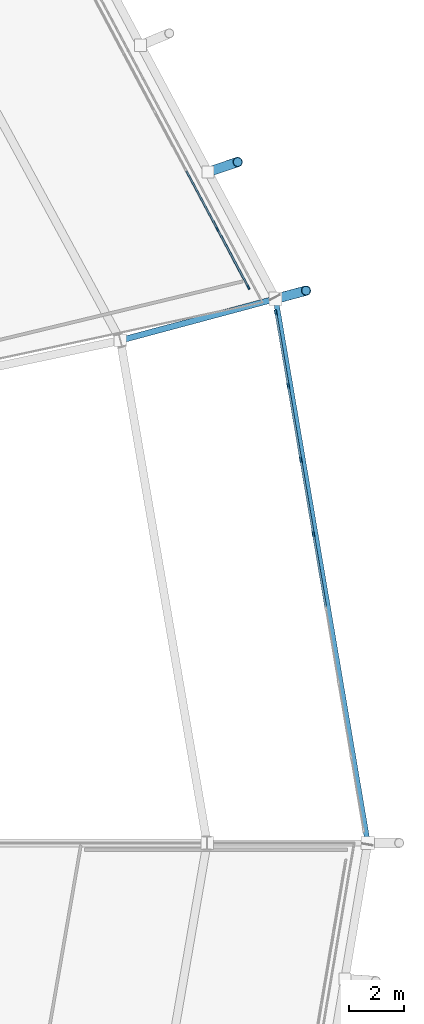
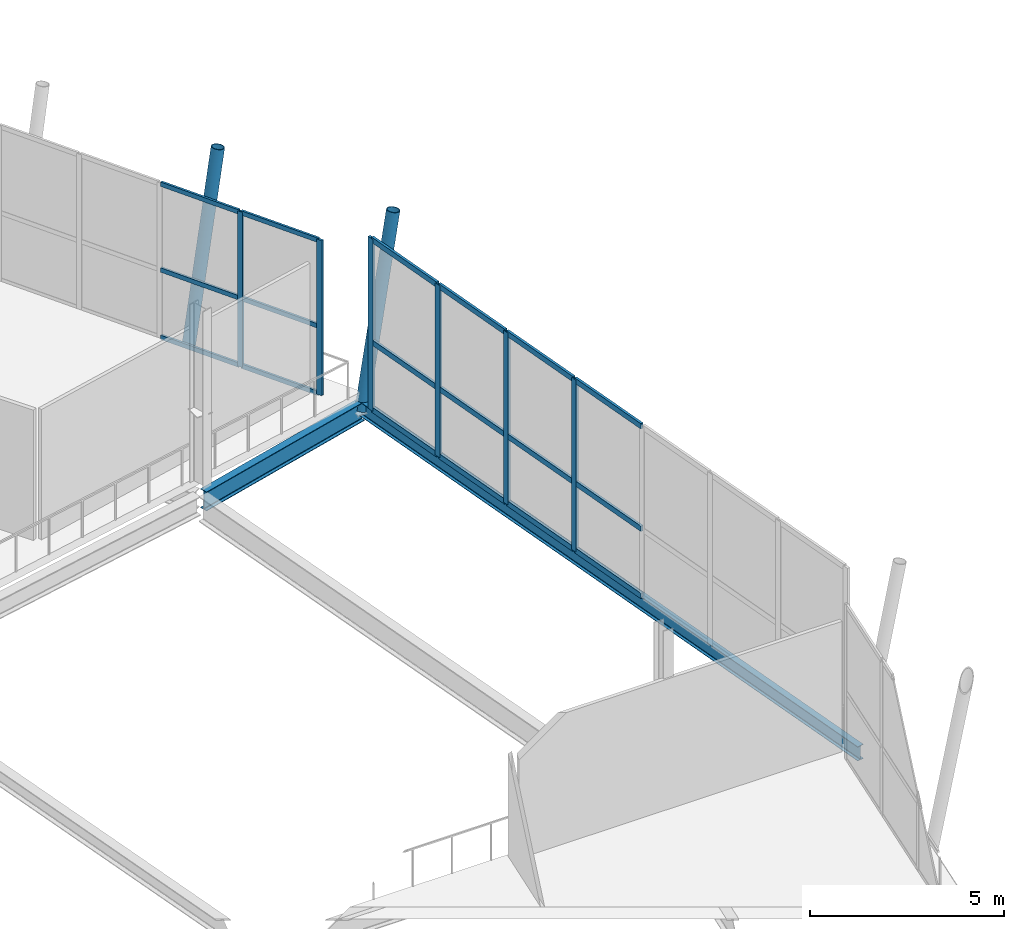
# One storey, part 43 of 99: 26 members, 2 beams, 2 elements without a shape of their own.
"""IFC4 building model written with IfcOpenShell, lengths in metres."""

from ifc_helpers import new_model, si_unit, direction, frame, origin, origin_2d, place, context, subcontext, project, spatial, rectangle, hollow_circle, i_section, extrude, material, material_profile, profile_set, type_object, element, aggregate, save


model = new_model("IFC4")

# Units and contexts
model_context = context("Model", 3, precision=1e-05, world=origin(), true_north=direction((0.0, 1.0)))
body_context = subcontext(model_context, "Body", "Model", "MODEL_VIEW")
ifc_project = project(units=[si_unit("LENGTHUNIT", "METRE"), si_unit("AREAUNIT", "SQUARE_METRE"), si_unit("VOLUMEUNIT", "CUBIC_METRE"), si_unit("PLANEANGLEUNIT", "RADIAN"), si_unit("MASSUNIT", "GRAM", prefix="KILO")], contexts=[model_context])

# Site, building, storey
site_placement = place(None, origin())
site = spatial("IfcSite", under=ifc_project, at=site_placement, CompositionType="ELEMENT")
building_placement = place(site_placement, origin())
building = spatial("IfcBuilding", under=site, at=building_placement, Name="Zlatoyarsky Gate Stadium", CompositionType="ELEMENT")
storey_placement = place(building_placement, frame((0.0, 0.0, 26.199951171875)))
storey = spatial("IfcBuildingStorey", under=building, at=storey_placement, Name="L05", CompositionType="ELEMENT", Elevation=26.199951171875)

# Curtain wall, members
ifc_material_1 = material(Name="Thermally broken anodised aluminium curtain wall", Category="aluminium")
curtain_wall_type_1 = type_object("IfcCurtainWallType", Name="MONUMENTAL ARCHED GATE GLAZING UPPER", PredefinedType="USERDEFINED", material=ifc_material_1)
curtain_wall_1_placement = place(storey_placement, origin())
curtain_wall_1 = element("IfcCurtainWall", 1, at=curtain_wall_1_placement, inside=storey, type_object=curtain_wall_type_1, Name="Curtain wall CW-L05-00", ObjectType="ARCHED GATE GLAZING", PredefinedType="USERDEFINED")
ifc_material_2 = material(Name="Anodised aluminium 6063-T6", Category="aluminium")
ifc_material_profile_1 = material_profile(ifc_material_2, rectangle(XDim=0.074951171875, YDim=0.18994140625, at=origin_2d()), Name="ALU 75X190")
ifc_profile_set_1 = profile_set([ifc_material_profile_1], Name="Anodised aluminium 6063-T6")
member_type_1 = type_object("IfcMemberType", Name="ALUMINIUM GATE MULLION 75X190", PredefinedType="MULLION", material=ifc_profile_set_1)
member_1_placement = place(storey_placement, frame((207.885009765625, 91.294677734375, -0.260009765625), z_axis=(0.0, 0.0, 1.0), x_axis=(-0.985957733522, -0.166995052945, 0.0)))
member_1 = element("IfcMember", 2, at=member_1_placement, type_object=member_type_1, Name="CW-AG2 mullion 5", PredefinedType="MULLION", context=body_context, shape_type="SweptSolid", body=[
    extrude(rectangle(XDim=0.074951171875, YDim=0.18994140625, at=origin_2d()), origin(), (0.0, 0.0, 1.0), 5.41015625),
])
member_2_placement = place(storey_placement, frame((207.425537109375, 94.007568359375, -0.260009765625), z_axis=(0.0, 0.0, 1.0), x_axis=(-0.985957733522, -0.166995052945, 0.0)))
member_2 = element("IfcMember", 3, at=member_2_placement, type_object=member_type_1, Name="CW-AG2 mullion 6", PredefinedType="MULLION", context=body_context, shape_type="SweptSolid", body=[
    extrude(rectangle(XDim=0.074951171875, YDim=0.18994140625, at=origin_2d()), origin(), (0.0, 0.0, 1.0), 5.41015625),
])
member_3_placement = place(storey_placement, frame((206.966064453125, 96.72021484375, -0.260009765625), z_axis=(0.0, 0.0, 1.0), x_axis=(-0.985957733522, -0.166995052945, 0.0)))
member_3 = element("IfcMember", 4, at=member_3_placement, type_object=member_type_1, Name="CW-AG2 mullion 7", PredefinedType="MULLION", context=body_context, shape_type="SweptSolid", body=[
    extrude(rectangle(XDim=0.074951171875, YDim=0.18994140625, at=origin_2d()), origin(), (0.0, 0.0, 1.0), 5.41015625),
])
member_4_placement = place(storey_placement, frame((206.512939453125, 99.396240234375, -0.260009765625), z_axis=(0.0, 0.0, 1.0), x_axis=(-0.985957733522, -0.166995052945, 0.0)))
member_4 = element("IfcMember", 5, at=member_4_placement, type_object=member_type_1, Name="CW-AG2 mullion 8", PredefinedType="MULLION", context=body_context, shape_type="SweptSolid", body=[
    extrude(rectangle(XDim=0.074951171875, YDim=0.18994140625, at=origin_2d()), origin(), (0.0, 0.0, 1.0), 5.41015625),
])
ifc_material_profile_2 = material_profile(ifc_material_2, rectangle(XDim=0.074951171875, YDim=0.169921875, at=origin_2d()), Name="ALU 75X170")
ifc_profile_set_2 = profile_set([ifc_material_profile_2], Name="Anodised aluminium 6063-T6")
member_type_2 = type_object("IfcMemberType", Name="ALUMINIUM GATE TRANSOM 75X170", PredefinedType="USERDEFINED", material=ifc_profile_set_2)
member_5_placement = place(storey_placement, frame((208.33837890625, 88.618896484375, -0.222412109375), z_axis=(-0.167016554853, 0.985954091429, 0.0), x_axis=(-0.985954091429, -0.167016554853, 0.0)))
member_5 = element("IfcMember", 6, at=member_5_placement, type_object=member_type_2, Name="CW-AG2 transom 4.1", ObjectType="TRANSOM", PredefinedType="USERDEFINED", context=body_context, shape_type="SweptSolid", body=[
    extrude(rectangle(XDim=0.074951171875, YDim=0.169921875, at=origin_2d()), origin(), (0.0, 0.0, 1.0), 2.676513671875),
])
member_6_placement = place(storey_placement, frame((208.33837890625, 88.618896484375, 1.89013671875), z_axis=(-0.167016554853, 0.985954091429, 0.0), x_axis=(-0.985954091429, -0.167016554853, 0.0)))
member_6 = element("IfcMember", 7, at=member_6_placement, type_object=member_type_2, Name="CW-AG2 transom 4.2", ObjectType="TRANSOM", PredefinedType="USERDEFINED", context=body_context, shape_type="SweptSolid", body=[
    extrude(rectangle(XDim=0.074951171875, YDim=0.169921875, at=origin_2d()), origin(), (0.0, 0.0, 1.0), 2.676513671875),
])
member_7_placement = place(storey_placement, frame((208.33837890625, 88.618896484375, 5.112548828125), z_axis=(-0.167016554853, 0.985954091429, 0.0), x_axis=(-0.985954091429, -0.167016554853, 0.0)))
member_7 = element("IfcMember", 8, at=member_7_placement, type_object=member_type_2, Name="CW-AG2 transom 4.3", ObjectType="TRANSOM", PredefinedType="USERDEFINED", context=body_context, shape_type="SweptSolid", body=[
    extrude(rectangle(XDim=0.074951171875, YDim=0.169921875, at=origin_2d()), origin(), (0.0, 0.0, 1.0), 2.676513671875),
])
member_8_placement = place(storey_placement, frame((207.87890625, 91.331787109375, -0.222412109375), z_axis=(-0.167016554853, 0.985954091429, 0.0), x_axis=(-0.985954091429, -0.167016554853, 0.0)))
member_8 = element("IfcMember", 9, at=member_8_placement, type_object=member_type_2, Name="CW-AG2 transom 5.1", ObjectType="TRANSOM", PredefinedType="USERDEFINED", context=body_context, shape_type="SweptSolid", body=[
    extrude(rectangle(XDim=0.074951171875, YDim=0.169921875, at=origin_2d()), origin(), (0.0, 0.0, 1.0), 2.676513671875),
])
member_9_placement = place(storey_placement, frame((207.87890625, 91.331787109375, 1.89013671875), z_axis=(-0.167016554853, 0.985954091429, 0.0), x_axis=(-0.985954091429, -0.167016554853, 0.0)))
member_9 = element("IfcMember", 10, at=member_9_placement, type_object=member_type_2, Name="CW-AG2 transom 5.2", ObjectType="TRANSOM", PredefinedType="USERDEFINED", context=body_context, shape_type="SweptSolid", body=[
    extrude(rectangle(XDim=0.074951171875, YDim=0.169921875, at=origin_2d()), origin(), (0.0, 0.0, 1.0), 2.676513671875),
])
member_10_placement = place(storey_placement, frame((207.87890625, 91.331787109375, 5.112548828125), z_axis=(-0.167016554853, 0.985954091429, 0.0), x_axis=(-0.985954091429, -0.167016554853, 0.0)))
member_10 = element("IfcMember", 11, at=member_10_placement, type_object=member_type_2, Name="CW-AG2 transom 5.3", ObjectType="TRANSOM", PredefinedType="USERDEFINED", context=body_context, shape_type="SweptSolid", body=[
    extrude(rectangle(XDim=0.074951171875, YDim=0.169921875, at=origin_2d()), origin(), (0.0, 0.0, 1.0), 2.676513671875),
])
member_11_placement = place(storey_placement, frame((207.41943359375, 94.04443359375, -0.222412109375), z_axis=(-0.167016554853, 0.985954091429, 0.0), x_axis=(-0.985954091429, -0.167016554853, 0.0)))
member_11 = element("IfcMember", 12, at=member_11_placement, type_object=member_type_2, Name="CW-AG2 transom 6.1", ObjectType="TRANSOM", PredefinedType="USERDEFINED", context=body_context, shape_type="SweptSolid", body=[
    extrude(rectangle(XDim=0.074951171875, YDim=0.169921875, at=origin_2d()), origin(), (0.0, 0.0, 1.0), 2.676513671875),
])
member_12_placement = place(storey_placement, frame((207.41943359375, 94.04443359375, 1.89013671875), z_axis=(-0.167016554853, 0.985954091429, 0.0), x_axis=(-0.985954091429, -0.167016554853, 0.0)))
member_12 = element("IfcMember", 13, at=member_12_placement, type_object=member_type_2, Name="CW-AG2 transom 6.2", ObjectType="TRANSOM", PredefinedType="USERDEFINED", context=body_context, shape_type="SweptSolid", body=[
    extrude(rectangle(XDim=0.074951171875, YDim=0.169921875, at=origin_2d()), origin(), (0.0, 0.0, 1.0), 2.676513671875),
])
member_13_placement = place(storey_placement, frame((207.41943359375, 94.04443359375, 5.112548828125), z_axis=(-0.167016554853, 0.985954091429, 0.0), x_axis=(-0.985954091429, -0.167016554853, 0.0)))
member_13 = element("IfcMember", 14, at=member_13_placement, type_object=member_type_2, Name="CW-AG2 transom 6.3", ObjectType="TRANSOM", PredefinedType="USERDEFINED", context=body_context, shape_type="SweptSolid", body=[
    extrude(rectangle(XDim=0.074951171875, YDim=0.169921875, at=origin_2d()), origin(), (0.0, 0.0, 1.0), 2.676513671875),
])
member_14_placement = place(storey_placement, frame((206.9599609375, 96.75732421875, -0.222412109375), z_axis=(-0.166993906311, 0.985957927731, 0.0), x_axis=(-0.985957927731, -0.166993906311, 0.0)))
member_14 = element("IfcMember", 15, at=member_14_placement, type_object=member_type_2, Name="CW-AG2 transom 7.1", ObjectType="TRANSOM", PredefinedType="USERDEFINED", context=body_context, shape_type="SweptSolid", body=[
    extrude(rectangle(XDim=0.074951171875, YDim=0.169921875, at=origin_2d()), origin(), (0.0, 0.0, 1.0), 2.638916015625),
])
member_15_placement = place(storey_placement, frame((206.9599609375, 96.75732421875, 1.89013671875), z_axis=(-0.166993906311, 0.985957927731, 0.0), x_axis=(-0.985957927731, -0.166993906311, 0.0)))
member_15 = element("IfcMember", 16, at=member_15_placement, type_object=member_type_2, Name="CW-AG2 transom 7.2", ObjectType="TRANSOM", PredefinedType="USERDEFINED", context=body_context, shape_type="SweptSolid", body=[
    extrude(rectangle(XDim=0.074951171875, YDim=0.169921875, at=origin_2d()), origin(), (0.0, 0.0, 1.0), 2.638916015625),
])
member_16_placement = place(storey_placement, frame((206.9599609375, 96.75732421875, 5.112548828125), z_axis=(-0.166993906311, 0.985957927731, 0.0), x_axis=(-0.985957927731, -0.166993906311, 0.0)))
member_16 = element("IfcMember", 17, at=member_16_placement, type_object=member_type_2, Name="CW-AG2 transom 7.3", ObjectType="TRANSOM", PredefinedType="USERDEFINED", context=body_context, shape_type="SweptSolid", body=[
    extrude(rectangle(XDim=0.074951171875, YDim=0.169921875, at=origin_2d()), origin(), (0.0, 0.0, 1.0), 2.638916015625),
])
aggregate(curtain_wall_1, [member_1, member_2, member_3, member_4, member_5, member_6, member_7, member_8, member_9, member_10, member_11, member_12, member_13, member_14, member_15, member_16])

curtain_wall_type_2 = type_object("IfcCurtainWallType", Name="UNITISED SKYBOX RING GLAZING L05", PredefinedType="USERDEFINED", material=ifc_material_1)
curtain_wall_2_placement = place(storey_placement, origin())
curtain_wall_2 = element("IfcCurtainWall", 18, at=curtain_wall_2_placement, inside=storey, type_object=curtain_wall_type_2, Name="Curtain wall CW-L05-01", ObjectType="UNITISED GLAZING", PredefinedType="USERDEFINED")
ifc_material_profile_3 = material_profile(ifc_material_2, rectangle(XDim=0.06494140625, YDim=0.159912109375, at=origin_2d()), Name="ALU 65X160")
ifc_profile_set_3 = profile_set([ifc_material_profile_3], Name="Anodised aluminium 6063-T6")
member_type_3 = type_object("IfcMemberType", Name="ALUMINIUM MULLION 65X160", PredefinedType="MULLION", material=ifc_profile_set_3)
member_17_placement = place(storey_placement, frame((205.511474609375, 100.318359375, 0.0), z_axis=(0.0, 0.0, 1.0), x_axis=(-0.882166738191, -0.470937199667, 0.0)))
member_17 = element("IfcMember", 19, at=member_17_placement, type_object=member_type_3, Name="CW-UG5 mullion 1", PredefinedType="MULLION", context=body_context, shape_type="SweptSolid", body=[
    extrude(rectangle(XDim=0.06494140625, YDim=0.159912109375, at=origin_2d()), origin(), (0.0, 0.0, 1.0), 4.880126953125),
])
member_18_placement = place(storey_placement, frame((204.377197265625, 102.44287109375, 0.0), z_axis=(0.0, 0.0, 1.0), x_axis=(-0.882166738191, -0.470937199667, 0.0)))
member_18 = element("IfcMember", 20, at=member_18_placement, type_object=member_type_3, Name="CW-UG5 mullion 2", PredefinedType="MULLION", context=body_context, shape_type="SweptSolid", body=[
    extrude(rectangle(XDim=0.06494140625, YDim=0.159912109375, at=origin_2d()), origin(), (0.0, 0.0, 1.0), 4.880126953125),
])
ifc_material_profile_4 = material_profile(ifc_material_2, rectangle(XDim=0.06494140625, YDim=0.139892578125, at=origin_2d()), Name="ALU 65X140")
ifc_profile_set_4 = profile_set([ifc_material_profile_4], Name="Anodised aluminium 6063-T6")
member_type_4 = type_object("IfcMemberType", Name="ALUMINIUM TRANSOM 65X140", PredefinedType="USERDEFINED", material=ifc_profile_set_4)
member_19_placement = place(storey_placement, frame((205.49609375, 100.346923828125, 0.032470703125), z_axis=(-0.47089101284, 0.882191393081, 0.0), x_axis=(-0.882191393081, -0.47089101284, 0.0)))
member_19 = element("IfcMember", 21, at=member_19_placement, type_object=member_type_4, Name="CW-UG5 transom 1.1", ObjectType="TRANSOM", PredefinedType="USERDEFINED", context=body_context, shape_type="SweptSolid", body=[
    extrude(rectangle(XDim=0.06494140625, YDim=0.139892578125, at=origin_2d()), origin(), (0.0, 0.0, 1.0), 2.343505859375),
])
member_20_placement = place(storey_placement, frame((205.49609375, 100.346923828125, 2.150146484375), z_axis=(-0.47089101284, 0.882191393081, 0.0), x_axis=(-0.882191393081, -0.47089101284, 0.0)))
member_20 = element("IfcMember", 22, at=member_20_placement, type_object=member_type_4, Name="CW-UG5 transom 1.2", ObjectType="TRANSOM", PredefinedType="USERDEFINED", context=body_context, shape_type="SweptSolid", body=[
    extrude(rectangle(XDim=0.06494140625, YDim=0.139892578125, at=origin_2d()), origin(), (0.0, 0.0, 1.0), 2.343505859375),
])
member_21_placement = place(storey_placement, frame((205.49609375, 100.346923828125, 4.84765625), z_axis=(-0.47089101284, 0.882191393081, 0.0), x_axis=(-0.882191393081, -0.47089101284, 0.0)))
member_21 = element("IfcMember", 23, at=member_21_placement, type_object=member_type_4, Name="CW-UG5 transom 1.3", ObjectType="TRANSOM", PredefinedType="USERDEFINED", context=body_context, shape_type="SweptSolid", body=[
    extrude(rectangle(XDim=0.06494140625, YDim=0.139892578125, at=origin_2d()), origin(), (0.0, 0.0, 1.0), 2.343505859375),
])
member_22_placement = place(storey_placement, frame((204.36181640625, 102.4716796875, 0.032470703125), z_axis=(-0.470977563195, 0.882145189278, 0.0), x_axis=(-0.882145189278, -0.470977563195, 0.0)))
member_22 = element("IfcMember", 24, at=member_22_placement, type_object=member_type_4, Name="CW-UG5 transom 2.1", ObjectType="TRANSOM", PredefinedType="USERDEFINED", context=body_context, shape_type="SweptSolid", body=[
    extrude(rectangle(XDim=0.06494140625, YDim=0.139892578125, at=origin_2d()), origin(), (0.0, 0.0, 1.0), 2.375732421875),
])
member_23_placement = place(storey_placement, frame((204.36181640625, 102.4716796875, 2.150146484375), z_axis=(-0.470977563195, 0.882145189278, 0.0), x_axis=(-0.882145189278, -0.470977563195, 0.0)))
member_23 = element("IfcMember", 25, at=member_23_placement, type_object=member_type_4, Name="CW-UG5 transom 2.2", ObjectType="TRANSOM", PredefinedType="USERDEFINED", context=body_context, shape_type="SweptSolid", body=[
    extrude(rectangle(XDim=0.06494140625, YDim=0.139892578125, at=origin_2d()), origin(), (0.0, 0.0, 1.0), 2.375732421875),
])
member_24_placement = place(storey_placement, frame((204.36181640625, 102.4716796875, 4.84765625), z_axis=(-0.470977563195, 0.882145189278, 0.0), x_axis=(-0.882145189278, -0.470977563195, 0.0)))
member_24 = element("IfcMember", 26, at=member_24_placement, type_object=member_type_4, Name="CW-UG5 transom 2.3", ObjectType="TRANSOM", PredefinedType="USERDEFINED", context=body_context, shape_type="SweptSolid", body=[
    extrude(rectangle(XDim=0.06494140625, YDim=0.139892578125, at=origin_2d()), origin(), (0.0, 0.0, 1.0), 2.375732421875),
])
aggregate(curtain_wall_2, [member_17, member_18, member_19, member_20, member_21, member_22, member_23, member_24])

# Beams
ifc_material_3 = material(Name="Steel S355", Category="steel")
ifc_material_profile_5 = material_profile(ifc_material_3, i_section(OverallWidth=0.219970703125, OverallDepth=0.60009765625, WebThickness=0.011962890625, FlangeThickness=0.01904296875, FilletRadius=0.02392578125, at=origin_2d()), Name="IPE 600")
ifc_profile_set_5 = profile_set([ifc_material_profile_5], Name="Steel S355")
beam_type_1 = type_object("IfcBeamType", Name="STEEL CANTILEVER FLOOR BEAM IPE 600", PredefinedType="BEAM", material=ifc_profile_set_5)
beam_1_placement = place(storey_placement, frame((200.947021484375, 98.4072265625, -0.56005859375), z_axis=(0.965927422152, 0.258813089189, 0.0), x_axis=(-0.258813089189, 0.965927422152, 0.0)))
element("IfcBeam", 27, at=beam_1_placement, inside=storey, type_object=beam_type_1, Name="Beam B-IPE600 BM-L05-OUT-01", PredefinedType="BEAM", context=body_context, shape_type="SweptSolid", body=[
    extrude(i_section(OverallWidth=0.219970703125, OverallDepth=0.60009765625, WebThickness=0.011962890625, FlangeThickness=0.01904296875, FilletRadius=0.02392578125, at=origin_2d()), origin(), (0.0, 0.0, 1.0), 5.758056640625),
])
ifc_material_profile_6 = material_profile(ifc_material_3, i_section(OverallWidth=0.18994140625, OverallDepth=0.449951171875, WebThickness=0.009521484375, FlangeThickness=0.0146484375, FilletRadius=0.02099609375, at=origin_2d()), Name="IPE 450")
ifc_profile_set_6 = profile_set([ifc_material_profile_6], Name="Steel S355")
beam_type_2 = type_object("IfcBeamType", Name="STEEL EDGE SPANDREL IPE 450", PredefinedType="SPANDREL", material=ifc_profile_set_6)
beam_2_placement = place(storey_placement, frame((209.874755859375, 80.019775390625, -0.48486328125), z_axis=(-0.166953846626, 0.985964711892, 0.0), x_axis=(-0.985964711892, -0.166953846626, 0.0)))
element("IfcBeam", 28, at=beam_2_placement, inside=storey, type_object=beam_type_2, Name="Beam SP-IPE450 BM-L05-SPD-00", PredefinedType="SPANDREL", context=body_context, shape_type="SweptSolid", body=[
    extrude(i_section(OverallWidth=0.18994140625, OverallDepth=0.449951171875, WebThickness=0.009521484375, FlangeThickness=0.0146484375, FilletRadius=0.02099609375, at=origin_2d()), origin(), (0.0, 0.0, 1.0), 20.140625),
])

# Members
ifc_material_profile_7 = material_profile(ifc_material_3, hollow_circle(Radius=0.177734375, WallThickness=0.02001953125, at=origin_2d()), Name="CHS 355.6X20")
ifc_profile_set_7 = profile_set([ifc_material_profile_7], Name="Steel S355")
member_type_5 = type_object("IfcMemberType", Name="STEEL LEANING RIB RING STRUT CHS 355.6X20", PredefinedType="STRUT", material=ifc_profile_set_7)
member_25_placement = place(storey_placement, frame((206.5087890625, 99.8974609375, -0.56005859375), z_axis=(0.190625969034, 0.051093460038, 0.980332187716), x_axis=(-0.258891781195, 0.965906333777, 0.0)))
element("IfcMember", 29, at=member_25_placement, inside=storey, type_object=member_type_5, Name="Upper leaning rib ring strut 01", PredefinedType="STRUT", context=body_context, shape_type="SweptSolid", body=[
    extrude(hollow_circle(Radius=0.177734375, WallThickness=0.02001953125, at=origin_2d()), origin(), (0.0, 0.0, 1.0), 5.82470703125),
])
member_26_placement = place(storey_placement, frame((204.039306640625, 104.532958984375, -0.510009765625), z_axis=(0.18734638797, 0.063505816911, 0.980238920944), x_axis=(-0.32103278258, 0.947068082299, 0.0)))
element("IfcMember", 30, at=member_26_placement, inside=storey, type_object=member_type_5, Name="Outward-leaning bowl louvre fin rib L05 01-1", PredefinedType="STRUT", context=body_context, shape_type="SweptSolid", body=[
    extrude(hollow_circle(Radius=0.177734375, WallThickness=0.02001953125, at=origin_2d()), origin(), (0.0, 0.0, 1.0), 5.774169921875),
])

save(model, "model.ifc")
